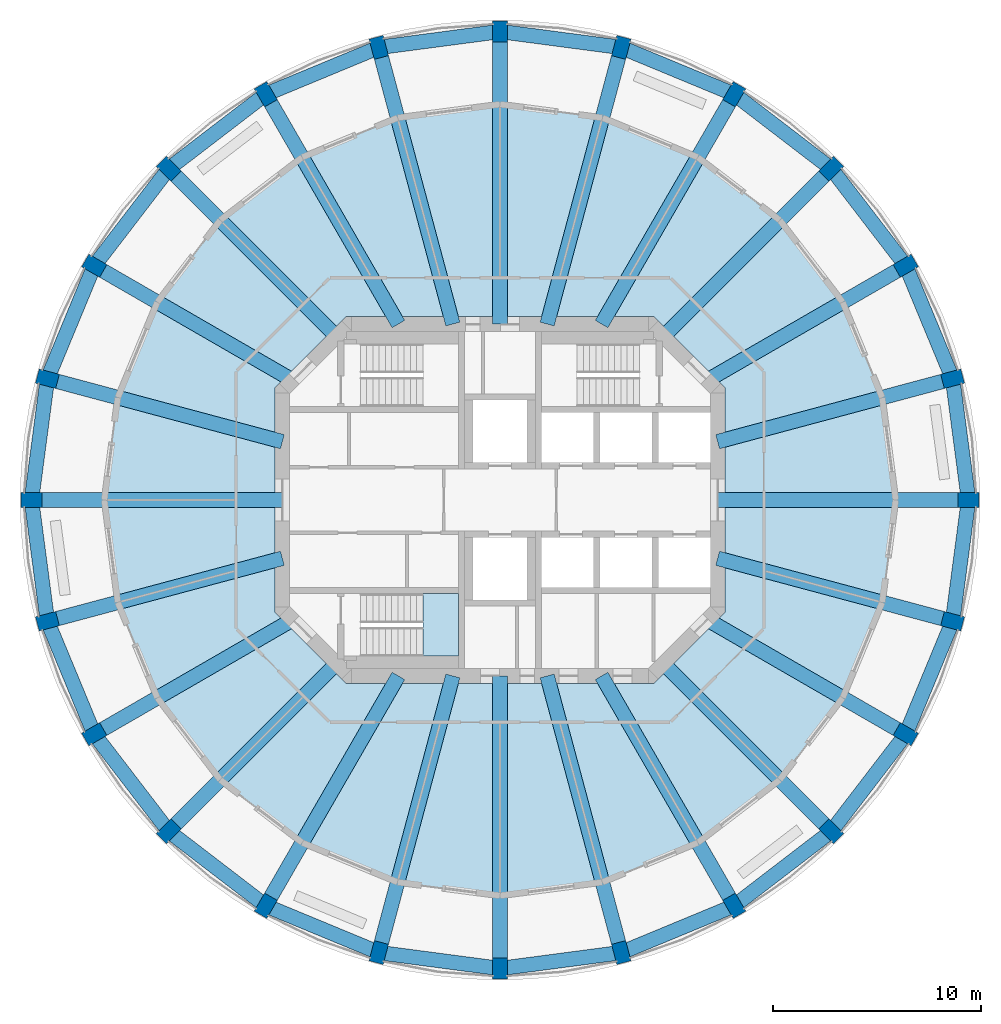
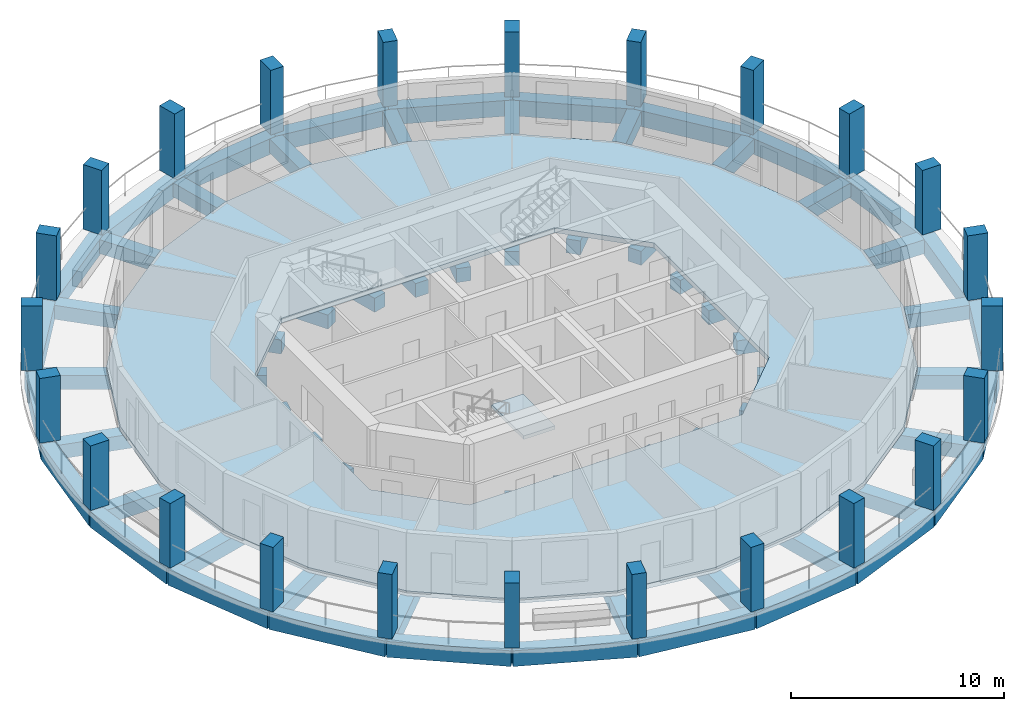
# One storey, part 1 of 9: 48 beams, 24 columns, 2 slabs, 1 element without a shape of its own.
"""IFC4 building model written with IfcOpenShell, lengths in metres."""

from ifc_helpers import new_model, si_unit, direction, frame, origin, origin_2d, place, context, subcontext, project, spatial, polyline, rectangle, outline, extrude, material, layer, layer_set, material_profile, profile_set, type_object, element, aggregate, save


model = new_model("IFC4")

# Units and contexts
model_context = context("Model", 3, precision=1e-05, world=origin(), true_north=direction((0.0, 1.0)))
body_context = subcontext(model_context, "Body", "Model", "MODEL_VIEW")
ifc_project = project(units=[si_unit("LENGTHUNIT", "METRE"), si_unit("AREAUNIT", "SQUARE_METRE"), si_unit("VOLUMEUNIT", "CUBIC_METRE"), si_unit("PLANEANGLEUNIT", "RADIAN"), si_unit("MASSUNIT", "GRAM", prefix="KILO")], contexts=[model_context])

# Site, building, storey
site_placement = place(None, origin())
site = spatial("IfcSite", under=ifc_project, at=site_placement, CompositionType="ELEMENT")
building_placement = place(site_placement, origin())
building = spatial("IfcBuilding", under=site, at=building_placement, Name="Torre Triforio", CompositionType="ELEMENT")
storey_placement = place(building_placement, frame((0.0, 0.0, 180.10009765625)))
storey = spatial("IfcBuildingStorey", under=building, at=storey_placement, Name="L41", CompositionType="ELEMENT", Elevation=180.10009765625)

# Columns
ifc_material_1 = material(Name="Concrete C50", Category="concrete")
ifc_material_profile_1 = material_profile(ifc_material_1, rectangle(XDim=0.699951171875, YDim=1.0, at=origin_2d()), Name="RC 700x1000")
ifc_profile_set_1 = profile_set([ifc_material_profile_1], Name="Concrete C50")
column_type = type_object("IfcColumnType", Name="Pier RC 700x1000 C50", PredefinedType="COLUMN", material=ifc_profile_set_1)
for number, where, z_axis, x_axis, name in (
    (1, (22.5, 0.0, 0.0), (0.0, 0.0, 1.0), (0.0, 1.0, 0.0), "COL.R.L41.00"),
    (2, (21.7333984375, 5.823486328125, 0.0), (0.0, 0.0, 1.0), (-0.258819045103, 0.965925826289, 0.0), "COL.R.L41.01"),
    (3, (19.485595703125, 11.25, 0.0), (0.0, 0.0, 1.0), (-0.5, 0.866025403784, 0.0), "COL.R.L41.02"),
    (4, (15.909912109375, 15.909912109375, 0.0), (0.0, 0.0, 1.0), (-0.707106781187, 0.707106781187, 0.0), "COL.R.L41.03"),
    (5, (11.25, 19.485595703125, 0.0), (0.0, 0.0, 1.0), (-0.866025403784, 0.5, 0.0), "COL.R.L41.04"),
    (6, (5.823486328125, 21.7333984375, 0.0), (0.0, 0.0, 1.0), (-0.965925826289, 0.258819045103, 0.0), "COL.R.L41.05"),
    (7, (0.0, 22.5, 0.0), (0.0, 0.0, 1.0), (-1.0, 0.0, 0.0), "COL.R.L41.06"),
    (8, (-5.823486328125, 21.7333984375, 0.0), (0.0, 0.0, 1.0), (-0.965925826289, -0.258819045103, 0.0), "COL.R.L41.07"),
    (9, (-11.25, 19.485595703125, 0.0), (0.0, 0.0, 1.0), (-0.866025403784, -0.5, 0.0), "COL.R.L41.08"),
    (10, (-15.909912109375, 15.909912109375, 0.0), (0.0, 0.0, 1.0), (-0.707106781187, -0.707106781187, 0.0), "COL.R.L41.09"),
    (11, (-19.485595703125, 11.25, 0.0), (0.0, 0.0, 1.0), (-0.5, -0.866025403784, 0.0), "COL.R.L41.10"),
    (12, (-21.7333984375, 5.823486328125, 0.0), (0.0, 0.0, 1.0), (-0.258819045103, -0.965925826289, 0.0), "COL.R.L41.11"),
    (13, (-22.5, 0.0, 0.0), (0.0, 0.0, 1.0), (0.0, -1.0, 0.0), "COL.R.L41.12"),
    (14, (-21.7333984375, -5.823486328125, 0.0), (0.0, 0.0, 1.0), (0.258819045103, -0.965925826289, 0.0), "COL.R.L41.13"),
    (15, (-19.485595703125, -11.25, 0.0), (0.0, 0.0, 1.0), (0.5, -0.866025403784, 0.0), "COL.R.L41.14"),
    (16, (-15.909912109375, -15.909912109375, 0.0), (0.0, 0.0, 1.0), (0.707106781187, -0.707106781187, 0.0), "COL.R.L41.15"),
    (17, (-11.25, -19.485595703125, 0.0), (0.0, 0.0, 1.0), (0.866025403784, -0.5, 0.0), "COL.R.L41.16"),
    (18, (-5.823486328125, -21.7333984375, 0.0), (0.0, 0.0, 1.0), (0.965925826289, -0.258819045103, 0.0), "COL.R.L41.17"),
    (19, (0.0, -22.5, 0.0), (0.0, 0.0, 1.0), (1.0, 0.0, 0.0), "COL.R.L41.18"),
    (20, (5.823486328125, -21.7333984375, 0.0), (0.0, 0.0, 1.0), (0.965925826289, 0.258819045103, 0.0), "COL.R.L41.19"),
    (21, (11.25, -19.485595703125, 0.0), (0.0, 0.0, 1.0), (0.866025403784, 0.5, 0.0), "COL.R.L41.20"),
    (22, (15.909912109375, -15.909912109375, 0.0), (0.0, 0.0, 1.0), (0.707106781187, 0.707106781187, 0.0), "COL.R.L41.21"),
    (23, (19.485595703125, -11.25, 0.0), (0.0, 0.0, 1.0), (0.5, 0.866025403784, 0.0), "COL.R.L41.22"),
    (24, (21.7333984375, -5.823486328125, 0.0), (0.0, 0.0, 1.0), (0.258819045103, 0.965925826289, 0.0), "COL.R.L41.23"),
):
    element("IfcColumn", number, at=place(storey_placement, frame(where, z_axis=z_axis, x_axis=x_axis)), inside=storey, type_object=column_type, Name=name, PredefinedType="COLUMN", context=body_context, shape_type="SweptSolid", body=[
        extrude(rectangle(XDim=0.699951171875, YDim=1.0, at=origin_2d()), origin(), (0.0, 0.0, 1.0), 3.699951171875),
    ])

# Beams
ifc_material_2 = material(Name="Concrete C40", Category="concrete")
ifc_material_profile_2 = material_profile(ifc_material_2, rectangle(XDim=0.699951171875, YDim=0.800048828125, at=origin_2d()), Name="RC 700x800")
ifc_profile_set_2 = profile_set([ifc_material_profile_2], Name="Concrete C40")
beam_type_1 = type_object("IfcBeamType", Name="Radial beam RC 700x800 C40", PredefinedType="BEAM", material=ifc_profile_set_2)
beam_1_placement = place(storey_placement, frame((10.449951171875, 0.0, -0.68017578125), z_axis=(1.0, 0.0, 0.0), x_axis=(0.0, 1.0, 0.0)))
element("IfcBeam", 25, at=beam_1_placement, inside=storey, type_object=beam_type_1, Name="BM.R.L41.00", PredefinedType="BEAM", context=body_context, shape_type="SweptSolid", body=[
    extrude(rectangle(XDim=0.699951171875, YDim=0.800048828125, at=origin_2d()), origin(), (0.0, 0.0, 1.0), 12.050048828125),
])
beam_2_placement = place(storey_placement, frame((10.449951171875, 2.800048828125, -0.68017578125), z_axis=(0.965924822187, 0.258822792435, 0.0), x_axis=(-0.258822792435, 0.965924822187, 0.0)))
element("IfcBeam", 26, at=beam_2_placement, inside=storey, type_object=beam_type_1, Name="BM.R.L41.01", PredefinedType="BEAM", context=body_context, shape_type="SweptSolid", body=[
    extrude(rectangle(XDim=0.699951171875, YDim=0.800048828125, at=origin_2d()), origin(), (0.0, 0.0, 1.0), 11.681396484375),
])
beam_3_placement = place(storey_placement, frame((9.9501953125, 5.744873046875, -0.68017578125), z_axis=(0.866030871389, 0.499990529712, 0.0), x_axis=(-0.499990529712, 0.866030871389, 0.0)))
element("IfcBeam", 27, at=beam_3_placement, inside=storey, type_object=beam_type_1, Name="BM.R.L41.02", PredefinedType="BEAM", context=body_context, shape_type="SweptSolid", body=[
    extrude(rectangle(XDim=0.699951171875, YDim=0.800048828125, at=origin_2d()), origin(), (0.0, 0.0, 1.0), 11.010498046875),
])
beam_4_placement = place(storey_placement, frame((7.847412109375, 7.847412109375, -0.68017578125), z_axis=(0.707106781187, 0.707106781187, 0.0), x_axis=(-0.707106781187, 0.707106781187, 0.0)))
element("IfcBeam", 28, at=beam_4_placement, inside=storey, type_object=beam_type_1, Name="BM.R.L41.03", PredefinedType="BEAM", context=body_context, shape_type="SweptSolid", body=[
    extrude(rectangle(XDim=0.699951171875, YDim=0.800048828125, at=origin_2d()), origin(), (0.0, 0.0, 1.0), 11.402099609375),
])
beam_5_placement = place(storey_placement, frame((4.878662109375, 8.449951171875, -0.68017578125), z_axis=(0.499994440966, 0.866028613271, 0.0), x_axis=(-0.866028613271, 0.499994440966, 0.0)))
element("IfcBeam", 29, at=beam_5_placement, inside=storey, type_object=beam_type_1, Name="BM.R.L41.04", PredefinedType="BEAM", context=body_context, shape_type="SweptSolid", body=[
    extrude(rectangle(XDim=0.699951171875, YDim=0.800048828125, at=origin_2d()), origin(), (0.0, 0.0, 1.0), 12.742919921875),
])
beam_6_placement = place(storey_placement, frame((2.26416015625, 8.449951171875, -0.68017578125), z_axis=(0.258821569245, 0.965925149944, 0.0), x_axis=(-0.965925149944, 0.258821569245, 0.0)))
element("IfcBeam", 30, at=beam_6_placement, inside=storey, type_object=beam_type_1, Name="BM.R.L41.05", PredefinedType="BEAM", context=body_context, shape_type="SweptSolid", body=[
    extrude(rectangle(XDim=0.699951171875, YDim=0.800048828125, at=origin_2d()), origin(), (0.0, 0.0, 1.0), 13.751953125),
])
beam_7_placement = place(storey_placement, frame((0.0, 8.449951171875, -0.68017578125), z_axis=(0.0, 1.0, 0.0), x_axis=(-1.0, 0.0, 0.0)))
element("IfcBeam", 31, at=beam_7_placement, inside=storey, type_object=beam_type_1, Name="BM.R.L41.06", PredefinedType="BEAM", context=body_context, shape_type="SweptSolid", body=[
    extrude(rectangle(XDim=0.699951171875, YDim=0.800048828125, at=origin_2d()), origin(), (0.0, 0.0, 1.0), 14.050048828125),
])
beam_8_placement = place(storey_placement, frame((-2.26416015625, 8.449951171875, -0.68017578125), z_axis=(-0.258821569245, 0.965925149944, 0.0), x_axis=(-0.965925149944, -0.258821569245, 0.0)))
element("IfcBeam", 32, at=beam_8_placement, inside=storey, type_object=beam_type_1, Name="BM.R.L41.07", PredefinedType="BEAM", context=body_context, shape_type="SweptSolid", body=[
    extrude(rectangle(XDim=0.699951171875, YDim=0.800048828125, at=origin_2d()), origin(), (0.0, 0.0, 1.0), 13.751953125),
])
beam_9_placement = place(storey_placement, frame((-4.878662109375, 8.449951171875, -0.68017578125), z_axis=(-0.499994440966, 0.866028613271, 0.0), x_axis=(-0.866028613271, -0.499994440966, 0.0)))
element("IfcBeam", 33, at=beam_9_placement, inside=storey, type_object=beam_type_1, Name="BM.R.L41.08", PredefinedType="BEAM", context=body_context, shape_type="SweptSolid", body=[
    extrude(rectangle(XDim=0.699951171875, YDim=0.800048828125, at=origin_2d()), origin(), (0.0, 0.0, 1.0), 12.742919921875),
])
beam_10_placement = place(storey_placement, frame((-7.847412109375, 7.847412109375, -0.68017578125), z_axis=(-0.707106781187, 0.707106781187, 0.0), x_axis=(-0.707106781187, -0.707106781187, 0.0)))
element("IfcBeam", 34, at=beam_10_placement, inside=storey, type_object=beam_type_1, Name="BM.R.L41.09", PredefinedType="BEAM", context=body_context, shape_type="SweptSolid", body=[
    extrude(rectangle(XDim=0.699951171875, YDim=0.800048828125, at=origin_2d()), origin(), (0.0, 0.0, 1.0), 11.402099609375),
])
beam_11_placement = place(storey_placement, frame((-9.9501953125, 5.744873046875, -0.68017578125), z_axis=(-0.866030871389, 0.499990529712, 0.0), x_axis=(-0.499990529712, -0.866030871389, 0.0)))
element("IfcBeam", 35, at=beam_11_placement, inside=storey, type_object=beam_type_1, Name="BM.R.L41.10", PredefinedType="BEAM", context=body_context, shape_type="SweptSolid", body=[
    extrude(rectangle(XDim=0.699951171875, YDim=0.800048828125, at=origin_2d()), origin(), (0.0, 0.0, 1.0), 11.010498046875),
])
beam_12_placement = place(storey_placement, frame((-10.449951171875, 2.800048828125, -0.68017578125), z_axis=(-0.965924822187, 0.258822792435, 0.0), x_axis=(-0.258822792435, -0.965924822187, 0.0)))
element("IfcBeam", 36, at=beam_12_placement, inside=storey, type_object=beam_type_1, Name="BM.R.L41.11", PredefinedType="BEAM", context=body_context, shape_type="SweptSolid", body=[
    extrude(rectangle(XDim=0.699951171875, YDim=0.800048828125, at=origin_2d()), origin(), (0.0, 0.0, 1.0), 11.681396484375),
])
beam_13_placement = place(storey_placement, frame((-10.449951171875, 0.0, -0.68017578125), z_axis=(-1.0, 0.0, 0.0), x_axis=(0.0, -1.0, 0.0)))
element("IfcBeam", 37, at=beam_13_placement, inside=storey, type_object=beam_type_1, Name="BM.R.L41.12", PredefinedType="BEAM", context=body_context, shape_type="SweptSolid", body=[
    extrude(rectangle(XDim=0.699951171875, YDim=0.800048828125, at=origin_2d()), origin(), (0.0, 0.0, 1.0), 12.050048828125),
])
beam_14_placement = place(storey_placement, frame((-10.449951171875, -2.800048828125, -0.68017578125), z_axis=(-0.965924822187, -0.258822792435, 0.0), x_axis=(0.258822792435, -0.965924822187, 0.0)))
element("IfcBeam", 38, at=beam_14_placement, inside=storey, type_object=beam_type_1, Name="BM.R.L41.13", PredefinedType="BEAM", context=body_context, shape_type="SweptSolid", body=[
    extrude(rectangle(XDim=0.699951171875, YDim=0.800048828125, at=origin_2d()), origin(), (0.0, 0.0, 1.0), 11.681396484375),
])
beam_15_placement = place(storey_placement, frame((-9.9501953125, -5.744873046875, -0.68017578125), z_axis=(-0.866030871389, -0.499990529712, 0.0), x_axis=(0.499990529712, -0.866030871389, 0.0)))
element("IfcBeam", 39, at=beam_15_placement, inside=storey, type_object=beam_type_1, Name="BM.R.L41.14", PredefinedType="BEAM", context=body_context, shape_type="SweptSolid", body=[
    extrude(rectangle(XDim=0.699951171875, YDim=0.800048828125, at=origin_2d()), origin(), (0.0, 0.0, 1.0), 11.010498046875),
])
beam_16_placement = place(storey_placement, frame((-7.847412109375, -7.847412109375, -0.68017578125), z_axis=(-0.707106781187, -0.707106781187, 0.0), x_axis=(0.707106781187, -0.707106781187, 0.0)))
element("IfcBeam", 40, at=beam_16_placement, inside=storey, type_object=beam_type_1, Name="BM.R.L41.15", PredefinedType="BEAM", context=body_context, shape_type="SweptSolid", body=[
    extrude(rectangle(XDim=0.699951171875, YDim=0.800048828125, at=origin_2d()), origin(), (0.0, 0.0, 1.0), 11.402099609375),
])
beam_17_placement = place(storey_placement, frame((-4.878662109375, -8.449951171875, -0.68017578125), z_axis=(-0.499994440966, -0.866028613271, 0.0), x_axis=(0.866028613271, -0.499994440966, 0.0)))
element("IfcBeam", 41, at=beam_17_placement, inside=storey, type_object=beam_type_1, Name="BM.R.L41.16", PredefinedType="BEAM", context=body_context, shape_type="SweptSolid", body=[
    extrude(rectangle(XDim=0.699951171875, YDim=0.800048828125, at=origin_2d()), origin(), (0.0, 0.0, 1.0), 12.742919921875),
])
beam_18_placement = place(storey_placement, frame((-2.26416015625, -8.449951171875, -0.68017578125), z_axis=(-0.258821569245, -0.965925149944, 0.0), x_axis=(0.965925149944, -0.258821569245, 0.0)))
element("IfcBeam", 42, at=beam_18_placement, inside=storey, type_object=beam_type_1, Name="BM.R.L41.17", PredefinedType="BEAM", context=body_context, shape_type="SweptSolid", body=[
    extrude(rectangle(XDim=0.699951171875, YDim=0.800048828125, at=origin_2d()), origin(), (0.0, 0.0, 1.0), 13.751953125),
])
beam_19_placement = place(storey_placement, frame((0.0, -8.449951171875, -0.68017578125), z_axis=(0.0, -1.0, 0.0), x_axis=(1.0, 0.0, 0.0)))
element("IfcBeam", 43, at=beam_19_placement, inside=storey, type_object=beam_type_1, Name="BM.R.L41.18", PredefinedType="BEAM", context=body_context, shape_type="SweptSolid", body=[
    extrude(rectangle(XDim=0.699951171875, YDim=0.800048828125, at=origin_2d()), origin(), (0.0, 0.0, 1.0), 14.050048828125),
])
beam_20_placement = place(storey_placement, frame((2.26416015625, -8.449951171875, -0.68017578125), z_axis=(0.258821569245, -0.965925149944, 0.0), x_axis=(0.965925149944, 0.258821569245, 0.0)))
element("IfcBeam", 44, at=beam_20_placement, inside=storey, type_object=beam_type_1, Name="BM.R.L41.19", PredefinedType="BEAM", context=body_context, shape_type="SweptSolid", body=[
    extrude(rectangle(XDim=0.699951171875, YDim=0.800048828125, at=origin_2d()), origin(), (0.0, 0.0, 1.0), 13.751953125),
])
beam_21_placement = place(storey_placement, frame((4.878662109375, -8.449951171875, -0.68017578125), z_axis=(0.499994440966, -0.866028613271, 0.0), x_axis=(0.866028613271, 0.499994440966, 0.0)))
element("IfcBeam", 45, at=beam_21_placement, inside=storey, type_object=beam_type_1, Name="BM.R.L41.20", PredefinedType="BEAM", context=body_context, shape_type="SweptSolid", body=[
    extrude(rectangle(XDim=0.699951171875, YDim=0.800048828125, at=origin_2d()), origin(), (0.0, 0.0, 1.0), 12.742919921875),
])
beam_22_placement = place(storey_placement, frame((7.847412109375, -7.847412109375, -0.68017578125), z_axis=(0.707106781187, -0.707106781187, 0.0), x_axis=(0.707106781187, 0.707106781187, 0.0)))
element("IfcBeam", 46, at=beam_22_placement, inside=storey, type_object=beam_type_1, Name="BM.R.L41.21", PredefinedType="BEAM", context=body_context, shape_type="SweptSolid", body=[
    extrude(rectangle(XDim=0.699951171875, YDim=0.800048828125, at=origin_2d()), origin(), (0.0, 0.0, 1.0), 11.402099609375),
])
beam_23_placement = place(storey_placement, frame((9.9501953125, -5.744873046875, -0.68017578125), z_axis=(0.866030871389, -0.499990529712, 0.0), x_axis=(0.499990529712, 0.866030871389, 0.0)))
element("IfcBeam", 47, at=beam_23_placement, inside=storey, type_object=beam_type_1, Name="BM.R.L41.22", PredefinedType="BEAM", context=body_context, shape_type="SweptSolid", body=[
    extrude(rectangle(XDim=0.699951171875, YDim=0.800048828125, at=origin_2d()), origin(), (0.0, 0.0, 1.0), 11.010498046875),
])
beam_24_placement = place(storey_placement, frame((10.449951171875, -2.800048828125, -0.68017578125), z_axis=(0.965924822187, -0.258822792435, 0.0), x_axis=(0.258822792435, 0.965924822187, 0.0)))
element("IfcBeam", 48, at=beam_24_placement, inside=storey, type_object=beam_type_1, Name="BM.R.L41.23", PredefinedType="BEAM", context=body_context, shape_type="SweptSolid", body=[
    extrude(rectangle(XDim=0.699951171875, YDim=0.800048828125, at=origin_2d()), origin(), (0.0, 0.0, 1.0), 11.681396484375),
])
ifc_material_profile_3 = material_profile(ifc_material_2, rectangle(XDim=0.699951171875, YDim=0.89990234375, at=origin_2d()), Name="RC 700x900")
ifc_profile_set_3 = profile_set([ifc_material_profile_3], Name="Concrete C40")
beam_type_2 = type_object("IfcBeamType", Name="Spandrel beam RC 700x900 C40", PredefinedType="SPANDREL", material=ifc_profile_set_3)
beam_25_placement = place(storey_placement, frame((22.5, 0.0, -0.72998046875), z_axis=(-0.13051364818, 0.991446512747, 0.0), x_axis=(-0.991446512747, -0.13051364818, 0.0)))
element("IfcBeam", 49, at=beam_25_placement, inside=storey, type_object=beam_type_2, Name="BM.S.L41.00", PredefinedType="SPANDREL", context=body_context, shape_type="SweptSolid", body=[
    extrude(rectangle(XDim=0.699951171875, YDim=0.89990234375, at=origin_2d()), origin(), (0.0, 0.0, 1.0), 5.873779296875),
])
beam_26_placement = place(storey_placement, frame((21.7333984375, 5.823486328125, -0.72998046875), z_axis=(-0.382693194178, 0.923875488976, 0.0), x_axis=(-0.923875488976, -0.382693194178, 0.0)))
element("IfcBeam", 50, at=beam_26_placement, inside=storey, type_object=beam_type_2, Name="BM.S.L41.01", PredefinedType="SPANDREL", context=body_context, shape_type="SweptSolid", body=[
    extrude(rectangle(XDim=0.699951171875, YDim=0.89990234375, at=origin_2d()), origin(), (0.0, 0.0, 1.0), 5.87353515625),
])
for number, where, z_axis, x_axis, name in (
    (51, (19.485595703125, 11.25, -0.72998046875), (-0.608762208108, 0.793352742466, 0.0), (-0.793352742466, -0.608762208108, 0.0), "BM.S.L41.02"),
    (52, (15.909912109375, 15.909912109375, -0.72998046875), (-0.793352742466, 0.608762208108, 0.0), (-0.608762208108, -0.793352742466, 0.0), "BM.S.L41.03"),
):
    element("IfcBeam", number, at=place(storey_placement, frame(where, z_axis=z_axis, x_axis=x_axis)), inside=storey, type_object=beam_type_2, Name=name, PredefinedType="SPANDREL", context=body_context, shape_type="SweptSolid", body=[
        extrude(rectangle(XDim=0.699951171875, YDim=0.89990234375, at=origin_2d()), origin(), (0.0, 0.0, 1.0), 5.873779296875),
    ])
beam_27_placement = place(storey_placement, frame((11.25, 19.485595703125, -0.72998046875), z_axis=(-0.923875488976, 0.382693194178, 0.0), x_axis=(-0.382693194178, -0.923875488976, 0.0)))
element("IfcBeam", 53, at=beam_27_placement, inside=storey, type_object=beam_type_2, Name="BM.S.L41.04", PredefinedType="SPANDREL", context=body_context, shape_type="SweptSolid", body=[
    extrude(rectangle(XDim=0.699951171875, YDim=0.89990234375, at=origin_2d()), origin(), (0.0, 0.0, 1.0), 5.87353515625),
])
for number, where, z_axis, x_axis, name in (
    (54, (5.823486328125, 21.7333984375, -0.72998046875), (-0.991446512747, 0.13051364818, 0.0), (-0.13051364818, -0.991446512747, 0.0), "BM.S.L41.05"),
    (55, (0.0, 22.5, -0.72998046875), (-0.991446512747, -0.13051364818, 0.0), (0.13051364818, -0.991446512747, 0.0), "BM.S.L41.06"),
):
    element("IfcBeam", number, at=place(storey_placement, frame(where, z_axis=z_axis, x_axis=x_axis)), inside=storey, type_object=beam_type_2, Name=name, PredefinedType="SPANDREL", context=body_context, shape_type="SweptSolid", body=[
        extrude(rectangle(XDim=0.699951171875, YDim=0.89990234375, at=origin_2d()), origin(), (0.0, 0.0, 1.0), 5.873779296875),
    ])
beam_28_placement = place(storey_placement, frame((-5.823486328125, 21.7333984375, -0.72998046875), z_axis=(-0.923875488976, -0.382693194178, 0.0), x_axis=(0.382693194178, -0.923875488976, 0.0)))
element("IfcBeam", 56, at=beam_28_placement, inside=storey, type_object=beam_type_2, Name="BM.S.L41.07", PredefinedType="SPANDREL", context=body_context, shape_type="SweptSolid", body=[
    extrude(rectangle(XDim=0.699951171875, YDim=0.89990234375, at=origin_2d()), origin(), (0.0, 0.0, 1.0), 5.87353515625),
])
for number, where, z_axis, x_axis, name in (
    (57, (-11.25, 19.485595703125, -0.72998046875), (-0.793352742466, -0.608762208108, 0.0), (0.608762208108, -0.793352742466, 0.0), "BM.S.L41.08"),
    (58, (-15.909912109375, 15.909912109375, -0.72998046875), (-0.608762208108, -0.793352742466, 0.0), (0.793352742466, -0.608762208108, 0.0), "BM.S.L41.09"),
):
    element("IfcBeam", number, at=place(storey_placement, frame(where, z_axis=z_axis, x_axis=x_axis)), inside=storey, type_object=beam_type_2, Name=name, PredefinedType="SPANDREL", context=body_context, shape_type="SweptSolid", body=[
        extrude(rectangle(XDim=0.699951171875, YDim=0.89990234375, at=origin_2d()), origin(), (0.0, 0.0, 1.0), 5.873779296875),
    ])
beam_29_placement = place(storey_placement, frame((-19.485595703125, 11.25, -0.72998046875), z_axis=(-0.382693194178, -0.923875488976, 0.0), x_axis=(0.923875488976, -0.382693194178, 0.0)))
element("IfcBeam", 59, at=beam_29_placement, inside=storey, type_object=beam_type_2, Name="BM.S.L41.10", PredefinedType="SPANDREL", context=body_context, shape_type="SweptSolid", body=[
    extrude(rectangle(XDim=0.699951171875, YDim=0.89990234375, at=origin_2d()), origin(), (0.0, 0.0, 1.0), 5.87353515625),
])
for number, where, z_axis, x_axis, name in (
    (60, (-21.7333984375, 5.823486328125, -0.72998046875), (-0.13051364818, -0.991446512747, 0.0), (0.991446512747, -0.13051364818, 0.0), "BM.S.L41.11"),
    (61, (-22.5, 0.0, -0.72998046875), (0.13051364818, -0.991446512747, 0.0), (0.991446512747, 0.13051364818, 0.0), "BM.S.L41.12"),
):
    element("IfcBeam", number, at=place(storey_placement, frame(where, z_axis=z_axis, x_axis=x_axis)), inside=storey, type_object=beam_type_2, Name=name, PredefinedType="SPANDREL", context=body_context, shape_type="SweptSolid", body=[
        extrude(rectangle(XDim=0.699951171875, YDim=0.89990234375, at=origin_2d()), origin(), (0.0, 0.0, 1.0), 5.873779296875),
    ])
beam_30_placement = place(storey_placement, frame((-21.7333984375, -5.823486328125, -0.72998046875), z_axis=(0.382693194178, -0.923875488976, 0.0), x_axis=(0.923875488976, 0.382693194178, 0.0)))
element("IfcBeam", 62, at=beam_30_placement, inside=storey, type_object=beam_type_2, Name="BM.S.L41.13", PredefinedType="SPANDREL", context=body_context, shape_type="SweptSolid", body=[
    extrude(rectangle(XDim=0.699951171875, YDim=0.89990234375, at=origin_2d()), origin(), (0.0, 0.0, 1.0), 5.87353515625),
])
for number, where, z_axis, x_axis, name in (
    (63, (-19.485595703125, -11.25, -0.72998046875), (0.608762208108, -0.793352742466, 0.0), (0.793352742466, 0.608762208108, 0.0), "BM.S.L41.14"),
    (64, (-15.909912109375, -15.909912109375, -0.72998046875), (0.793352742466, -0.608762208108, 0.0), (0.608762208108, 0.793352742466, 0.0), "BM.S.L41.15"),
):
    element("IfcBeam", number, at=place(storey_placement, frame(where, z_axis=z_axis, x_axis=x_axis)), inside=storey, type_object=beam_type_2, Name=name, PredefinedType="SPANDREL", context=body_context, shape_type="SweptSolid", body=[
        extrude(rectangle(XDim=0.699951171875, YDim=0.89990234375, at=origin_2d()), origin(), (0.0, 0.0, 1.0), 5.873779296875),
    ])
beam_31_placement = place(storey_placement, frame((-11.25, -19.485595703125, -0.72998046875), z_axis=(0.923875488976, -0.382693194178, 0.0), x_axis=(0.382693194178, 0.923875488976, 0.0)))
element("IfcBeam", 65, at=beam_31_placement, inside=storey, type_object=beam_type_2, Name="BM.S.L41.16", PredefinedType="SPANDREL", context=body_context, shape_type="SweptSolid", body=[
    extrude(rectangle(XDim=0.699951171875, YDim=0.89990234375, at=origin_2d()), origin(), (0.0, 0.0, 1.0), 5.87353515625),
])
for number, where, z_axis, x_axis, name in (
    (66, (-5.823486328125, -21.7333984375, -0.72998046875), (0.991446512747, -0.13051364818, 0.0), (0.13051364818, 0.991446512747, 0.0), "BM.S.L41.17"),
    (67, (0.0, -22.5, -0.72998046875), (0.991446512747, 0.13051364818, 0.0), (-0.13051364818, 0.991446512747, 0.0), "BM.S.L41.18"),
):
    element("IfcBeam", number, at=place(storey_placement, frame(where, z_axis=z_axis, x_axis=x_axis)), inside=storey, type_object=beam_type_2, Name=name, PredefinedType="SPANDREL", context=body_context, shape_type="SweptSolid", body=[
        extrude(rectangle(XDim=0.699951171875, YDim=0.89990234375, at=origin_2d()), origin(), (0.0, 0.0, 1.0), 5.873779296875),
    ])
beam_32_placement = place(storey_placement, frame((5.823486328125, -21.7333984375, -0.72998046875), z_axis=(0.923875488976, 0.382693194178, 0.0), x_axis=(-0.382693194178, 0.923875488976, 0.0)))
element("IfcBeam", 68, at=beam_32_placement, inside=storey, type_object=beam_type_2, Name="BM.S.L41.19", PredefinedType="SPANDREL", context=body_context, shape_type="SweptSolid", body=[
    extrude(rectangle(XDim=0.699951171875, YDim=0.89990234375, at=origin_2d()), origin(), (0.0, 0.0, 1.0), 5.87353515625),
])
for number, where, z_axis, x_axis, name in (
    (69, (11.25, -19.485595703125, -0.72998046875), (0.793352742466, 0.608762208108, 0.0), (-0.608762208108, 0.793352742466, 0.0), "BM.S.L41.20"),
    (70, (15.909912109375, -15.909912109375, -0.72998046875), (0.608762208108, 0.793352742466, 0.0), (-0.793352742466, 0.608762208108, 0.0), "BM.S.L41.21"),
):
    element("IfcBeam", number, at=place(storey_placement, frame(where, z_axis=z_axis, x_axis=x_axis)), inside=storey, type_object=beam_type_2, Name=name, PredefinedType="SPANDREL", context=body_context, shape_type="SweptSolid", body=[
        extrude(rectangle(XDim=0.699951171875, YDim=0.89990234375, at=origin_2d()), origin(), (0.0, 0.0, 1.0), 5.873779296875),
    ])
beam_33_placement = place(storey_placement, frame((19.485595703125, -11.25, -0.72998046875), z_axis=(0.382693194178, 0.923875488976, 0.0), x_axis=(-0.923875488976, 0.382693194178, 0.0)))
element("IfcBeam", 71, at=beam_33_placement, inside=storey, type_object=beam_type_2, Name="BM.S.L41.22", PredefinedType="SPANDREL", context=body_context, shape_type="SweptSolid", body=[
    extrude(rectangle(XDim=0.699951171875, YDim=0.89990234375, at=origin_2d()), origin(), (0.0, 0.0, 1.0), 5.87353515625),
])
beam_34_placement = place(storey_placement, frame((21.7333984375, -5.823486328125, -0.72998046875), z_axis=(0.13051364818, 0.991446512747, 0.0), x_axis=(-0.991446512747, 0.13051364818, 0.0)))
element("IfcBeam", 72, at=beam_34_placement, inside=storey, type_object=beam_type_2, Name="BM.S.L41.23", PredefinedType="SPANDREL", context=body_context, shape_type="SweptSolid", body=[
    extrude(rectangle(XDim=0.699951171875, YDim=0.89990234375, at=origin_2d()), origin(), (0.0, 0.0, 1.0), 5.873779296875),
])

# Slab
ifc_layer_1 = layer(ifc_material_2, 0.280029296875)
ifc_layer_set_1 = layer_set([ifc_layer_1], Name="Concrete C40")
slab_type_1 = type_object("IfcSlabType", Name="Floor slab 280 C40", PredefinedType="FLOOR", material=ifc_layer_set_1)
slab_1_placement = place(storey_placement, frame((0.0, 0.0, -0.280029296875)))
element("IfcSlab", 73, at=slab_1_placement, inside=storey, type_object=slab_type_1, Name="SL.L41", PredefinedType="FLOOR", context=body_context, shape_type="SweptSolid", body=[
    extrude(outline(polyline([(16.45458984375, -9.5), (18.3525390625, -4.91748046875), (19.0, 0.0), (18.3525390625, 4.91748046875), (16.45458984375, 9.5), (13.43505859375, 13.43505859375), (9.5, 16.45458984375), (4.91748046875, 18.3525390625), (0.0, 19.0), (-4.91748046875, 18.3525390625), (-9.5, 16.45458984375), (-13.43505859375, 13.43505859375), (-16.45458984375, 9.5), (-18.3525390625, 4.91748046875), (-19.0, 0.0), (-18.3525390625, -4.91748046875), (-16.45458984375, -9.5), (-13.43505859375, -13.43505859375), (-9.5, -16.45458984375), (-4.91748046875, -18.3525390625), (0.0, -19.0), (4.91748046875, -18.3525390625), (9.5, -16.45458984375), (13.43505859375, -13.43505859375), (16.45458984375, -9.5)]), holes=[polyline([(10.800048828125, 5.389892578125), (10.800048828125, -5.389892578125), (7.389892578125, -8.800048828125), (-7.389892578125, -8.800048828125), (-10.800048828125, -5.389892578125), (-10.800048828125, 5.389892578125), (-7.389892578125, 8.800048828125), (7.389892578125, 8.800048828125), (10.800048828125, 5.389892578125)])]), origin(), (0.0, 0.0, 1.0), 0.280029296875),
])

# Stair, slab
stair_type = type_object("IfcStairType", Name="STAIR HALF-TURN", PredefinedType="HALF_TURN_STAIR", material=ifc_material_2)
stair_placement = place(storey_placement, origin())
stair = element("IfcStair", 74, at=stair_placement, inside=storey, type_object=stair_type, Name="Exit stair 3", PredefinedType="HALF_TURN_STAIR")
ifc_layer_2 = layer(ifc_material_2, 0.199951171875)
ifc_layer_set_2 = layer_set([ifc_layer_2], Name="Concrete C40")
slab_type_2 = type_object("IfcSlabType", Name="STAIR LANDING 200", PredefinedType="LANDING", material=ifc_layer_set_2)
slab_2_placement = place(storey_placement, frame((0.0, 0.0, 1.64990234375)))
slab_2 = element("IfcSlab", 75, at=slab_2_placement, type_object=slab_type_2, Name="ST3 landing 1", PredefinedType="LANDING", context=body_context, shape_type="SweptSolid", body=[
    extrude(outline(polyline([(-2.0, -7.5), (-2.0, -4.5), (-3.699951171875, -4.5), (-3.699951171875, -7.5), (-2.0, -7.5)])), origin(), (0.0, 0.0, 1.0), 0.199951171875),
])
aggregate(stair, [slab_2])

save(model, "model.ifc")
